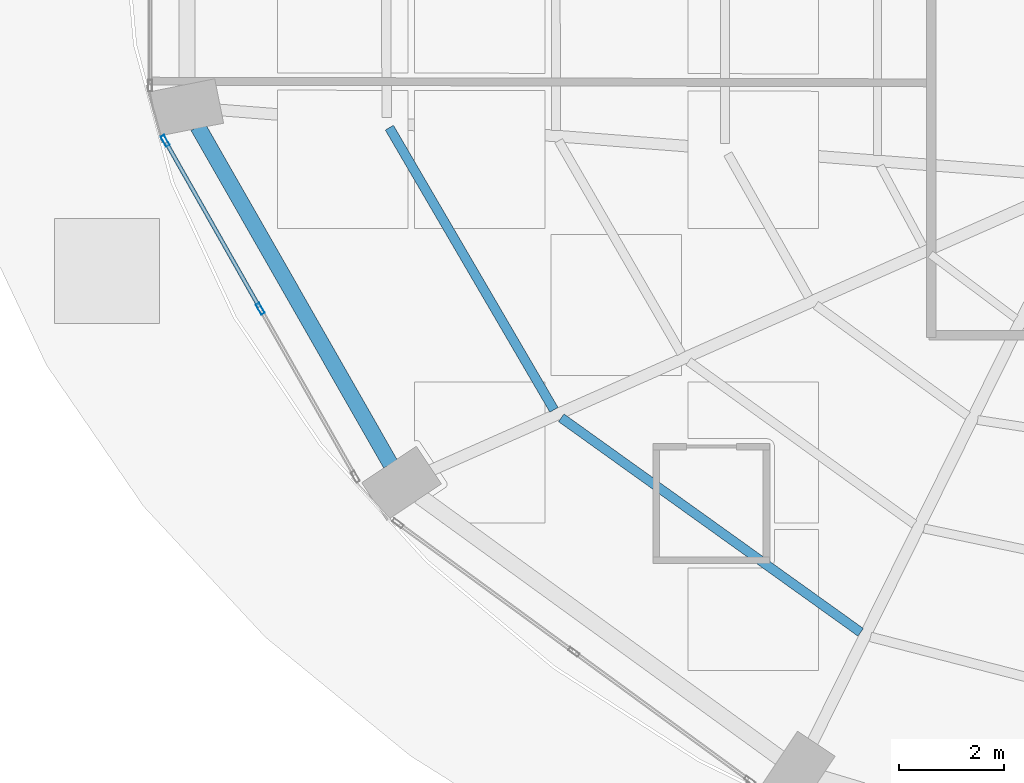
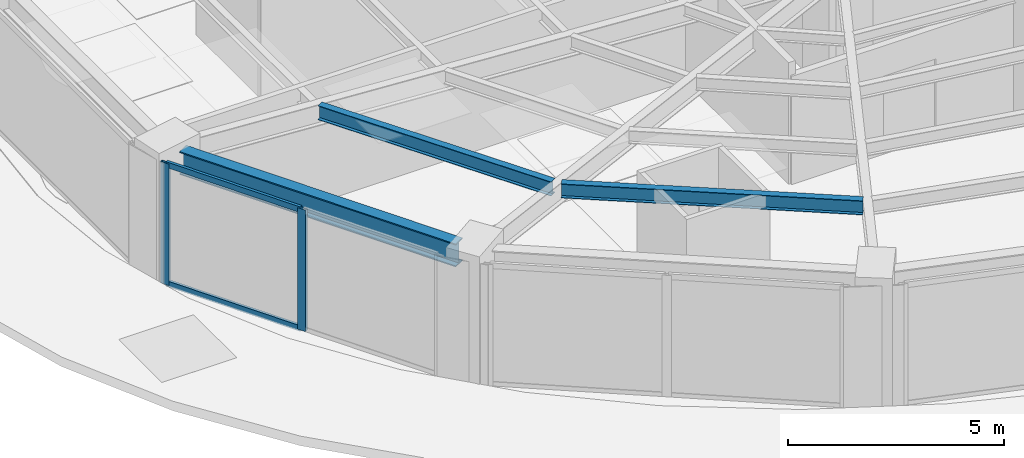
# One storey, part 3 of 25: 4 members, 3 beams, 1 element without a shape of its own.
"""IFC4 building model written with IfcOpenShell, lengths in metres."""

from ifc_helpers import new_model, si_unit, direction, frame, origin, origin_2d, place, context, subcontext, project, spatial, hollow_rectangle, i_section, extrude, material, layer, layer_set, material_profile, profile_set, type_object, element, aggregate, save


model = new_model("IFC4")

# Units and contexts
model_context = context("Model", 3, precision=1e-05, world=origin(), true_north=direction((0.0, 1.0)))
body_context = subcontext(model_context, "Body", "Model", "MODEL_VIEW")
ifc_project = project(units=[si_unit("LENGTHUNIT", "METRE"), si_unit("AREAUNIT", "SQUARE_METRE"), si_unit("VOLUMEUNIT", "CUBIC_METRE"), si_unit("PLANEANGLEUNIT", "RADIAN"), si_unit("MASSUNIT", "GRAM", prefix="KILO")], contexts=[model_context])

# Site, building, storey
site_placement = place(None, origin())
site = spatial("IfcSite", under=ifc_project, at=site_placement, CompositionType="ELEMENT")
building_placement = place(site_placement, origin())
building = spatial("IfcBuilding", under=site, at=building_placement, Name="Lazwardi Medical Tower", CompositionType="ELEMENT")
storey_placement = place(building_placement, frame((0.0, 0.0, 25.199951171875)))
storey = spatial("IfcBuildingStorey", under=building, at=storey_placement, Name="L05", CompositionType="ELEMENT", Elevation=25.199951171875)

# Beams
ifc_material_1 = material(Name="Steel S355", Category="steel")
ifc_material_profile_1 = material_profile(ifc_material_1, i_section(OverallWidth=0.300048828125, OverallDepth=0.64990234375, WebThickness=0.01611328125, FlangeThickness=0.031005859375, at=origin_2d()), Name="HEB 650")
ifc_profile_set_1 = profile_set([ifc_material_profile_1], Name="Steel S355")
beam_type_1 = type_object("IfcBeamType", Name="BM-RB-Z1", PredefinedType="BEAM", material=ifc_profile_set_1)
beam_1_placement = place(storey_placement, frame((9.408203125, 21.36767578125, 3.10302734375), z_axis=(0.49581512241, -0.868428099724, 0.0), x_axis=(0.868428099724, 0.49581512241, 0.0)))
element("IfcBeam", 1, at=beam_1_placement, inside=storey, type_object=beam_type_1, Name="Ring beam RB-02 B13 L05", PredefinedType="BEAM", context=body_context, shape_type="SweptSolid", body=[
    extrude(i_section(OverallWidth=0.300048828125, OverallDepth=0.64990234375, WebThickness=0.01611328125, FlangeThickness=0.031005859375, at=origin_2d()), origin(), (0.0, 0.0, 1.0), 7.389404296875),
])
ifc_material_profile_2 = material_profile(ifc_material_1, i_section(OverallWidth=0.179931640625, OverallDepth=0.39990234375, WebThickness=0.008544921875, FlangeThickness=0.013427734375, at=origin_2d()), Name="IPE 400")
ifc_profile_set_2 = profile_set([ifc_material_profile_2], Name="Steel S355")
beam_type_2 = type_object("IfcBeamType", Name="BM-SJ-01", PredefinedType="JOIST", material=ifc_profile_set_2)
beam_2_placement = place(storey_placement, frame((13.048828125, 21.34765625, 3.22802734375), z_axis=(0.503846579557, -0.863793160582, 0.0), x_axis=(0.863793160582, 0.503846579557, 0.0)))
element("IfcBeam", 2, at=beam_2_placement, inside=storey, type_object=beam_type_2, Name="Secondary joist SJ-01 R1 B13 L05", PredefinedType="JOIST", context=body_context, shape_type="SweptSolid", body=[
    extrude(i_section(OverallWidth=0.179931640625, OverallDepth=0.39990234375, WebThickness=0.008544921875, FlangeThickness=0.013427734375, at=origin_2d()), origin(), (0.0, 0.0, 1.0), 6.20947265625),
])
beam_3_placement = place(storey_placement, frame((16.31591796875, 15.83203125, 3.22802734375), z_axis=(0.812901036873, -0.582401840872, 0.0), x_axis=(0.582401840872, 0.812901036873, 0.0)))
element("IfcBeam", 3, at=beam_3_placement, inside=storey, type_object=beam_type_2, Name="Secondary joist SJ-01 R1 B14 L05", PredefinedType="JOIST", context=body_context, shape_type="SweptSolid", body=[
    extrude(i_section(OverallWidth=0.179931640625, OverallDepth=0.39990234375, WebThickness=0.008544921875, FlangeThickness=0.013427734375, at=origin_2d()), origin(), (0.0, 0.0, 1.0), 7.002197265625),
])

# Curtain wall, members
ifc_material_2 = material(Name="Anodised bronze aluminium and solar control glazing", Category="aluminium")
ifc_layer = layer(ifc_material_2, 0.199951171875)
ifc_layer_set = layer_set([ifc_layer], Name="Anodised bronze aluminium and solar control glazing")
curtain_wall_type = type_object("IfcCurtainWallType", Name="CW-SYS-02", PredefinedType="NOTDEFINED", material=ifc_layer_set)
curtain_wall_placement = place(storey_placement, origin())
curtain_wall = element("IfcCurtainWall", 4, at=curtain_wall_placement, inside=storey, type_object=curtain_wall_type, Name="L05 Unitised bronze curtain wall CW-02", PredefinedType="NOTDEFINED")
ifc_material_3 = material(Name="Anodised bronze aluminium", Category="aluminium")
ifc_material_profile_3 = material_profile(ifc_material_3, hollow_rectangle(XDim=0.074951171875, YDim=0.219970703125, WallThickness=0.00390625, at=origin_2d()), Name="ALU-MULLION 220x75x4")
ifc_profile_set_3 = profile_set([ifc_material_profile_3], Name="Anodised bronze aluminium")
member_type_1 = type_object("IfcMemberType", Name="CW-MUL-01", PredefinedType="MULLION", material=ifc_profile_set_3)
member_1_placement = place(storey_placement, frame((8.785888671875, 21.09765625, 0.0), z_axis=(0.0, 0.0, 1.0), x_axis=(0.870111838823, 0.492854327303, 0.0)))
member_1 = element("IfcMember", 5, at=member_1_placement, type_object=member_type_1, Name="CW-02 mullion 1", PredefinedType="MULLION", context=body_context, shape_type="SweptSolid", body=[
    extrude(hollow_rectangle(XDim=0.074951171875, YDim=0.219970703125, WallThickness=0.00390625, at=origin_2d()), origin(), (0.0, 0.0, 1.0), 3.427978515625),
])
member_2_placement = place(storey_placement, frame((10.5947265625, 17.904541015625, 0.0), z_axis=(0.0, 0.0, 1.0), x_axis=(0.870111838823, 0.492854327303, 0.0)))
member_2 = element("IfcMember", 6, at=member_2_placement, type_object=member_type_1, Name="CW-02 mullion 2", PredefinedType="MULLION", context=body_context, shape_type="SweptSolid", body=[
    extrude(hollow_rectangle(XDim=0.074951171875, YDim=0.219970703125, WallThickness=0.00390625, at=origin_2d()), origin(), (0.0, 0.0, 1.0), 3.427978515625),
])
ifc_material_profile_4 = material_profile(ifc_material_3, hollow_rectangle(XDim=0.074951171875, YDim=0.159912109375, WallThickness=0.00390625, at=origin_2d()), Name="ALU-TRANSOM 160x75x4")
ifc_profile_set_4 = profile_set([ifc_material_profile_4], Name="Anodised bronze aluminium")
member_type_2 = type_object("IfcMemberType", Name="CW-TRN-01", PredefinedType="USERDEFINED", material=ifc_profile_set_4)
member_3_placement = place(storey_placement, frame((8.804443359375, 21.06494140625, 0.03759765625), z_axis=(0.492880614687, -0.870096948429, 0.0), x_axis=(0.870096948429, 0.492880614687, 0.0)))
member_3 = element("IfcMember", 7, at=member_3_placement, type_object=member_type_2, Name="CW-02 transom 1.1", ObjectType="TRANSOM", PredefinedType="USERDEFINED", context=body_context, shape_type="SweptSolid", body=[
    extrude(hollow_rectangle(XDim=0.074951171875, YDim=0.159912109375, WallThickness=0.00390625, at=origin_2d()), origin(), (0.0, 0.0, 1.0), 3.5947265625),
])
member_4_placement = place(storey_placement, frame((8.804443359375, 21.06494140625, 3.390625), z_axis=(0.492880614687, -0.870096948429, 0.0), x_axis=(0.870096948429, 0.492880614687, 0.0)))
member_4 = element("IfcMember", 8, at=member_4_placement, type_object=member_type_2, Name="CW-02 transom 1.2", ObjectType="TRANSOM", PredefinedType="USERDEFINED", context=body_context, shape_type="SweptSolid", body=[
    extrude(hollow_rectangle(XDim=0.074951171875, YDim=0.159912109375, WallThickness=0.00390625, at=origin_2d()), origin(), (0.0, 0.0, 1.0), 3.5947265625),
])
aggregate(curtain_wall, [member_1, member_2, member_3, member_4])

save(model, "model.ifc")
